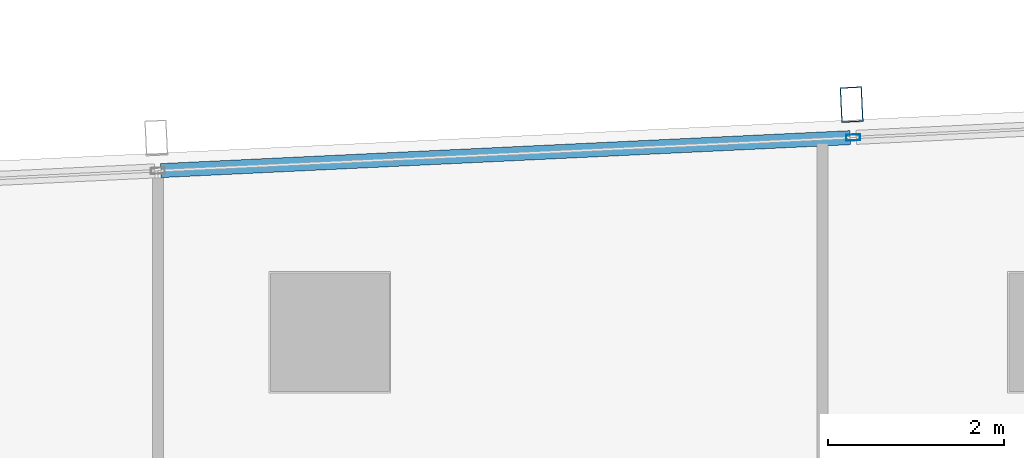
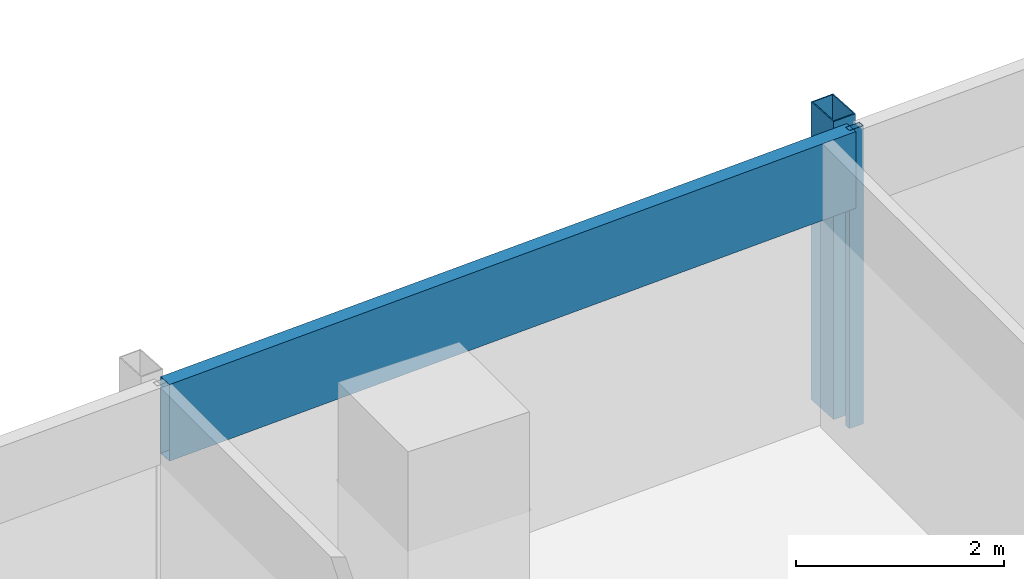
# One storey, part 18 of 40: 3 members, 1 element without a shape of its own.
"""IFC4 building model written with IfcOpenShell, lengths in metres."""

from ifc_helpers import new_model, si_unit, direction, frame, origin, origin_2d, place, context, subcontext, project, spatial, hollow_rectangle, extrude, material, material_profile, profile_set, type_object, element, aggregate, save


model = new_model("IFC4")

# Units and contexts
model_context = context("Model", 3, precision=1e-05, world=origin(), true_north=direction((0.0, 1.0)))
body_context = subcontext(model_context, "Body", "Model", "MODEL_VIEW")
ifc_project = project(units=[si_unit("LENGTHUNIT", "METRE"), si_unit("AREAUNIT", "SQUARE_METRE"), si_unit("VOLUMEUNIT", "CUBIC_METRE"), si_unit("PLANEANGLEUNIT", "RADIAN"), si_unit("MASSUNIT", "GRAM", prefix="KILO")], contexts=[model_context])

# Site, building, storey
site_placement = place(None, origin())
site = spatial("IfcSite", under=ifc_project, at=site_placement, CompositionType="ELEMENT")
building_placement = place(site_placement, origin())
building = spatial("IfcBuilding", under=site, at=building_placement, Name="Rekha Terrace Tower", CompositionType="ELEMENT")
storey_placement = place(building_placement, frame((0.0, 0.0, 210.199951171875)))
storey = spatial("IfcBuildingStorey", under=building, at=storey_placement, Name="L53", CompositionType="ELEMENT", Elevation=210.199951171875)

# Curtain wall, members
ifc_material_1 = material(Name="Aluminium framing", Category="aluminium")
curtain_wall_type = type_object("IfcCurtainWallType", Name="CW3 north unitised glazing", PredefinedType="USERDEFINED", material=ifc_material_1)
curtain_wall_placement = place(storey_placement, origin())
curtain_wall = element("IfcCurtainWall", 1, at=curtain_wall_placement, inside=storey, type_object=curtain_wall_type, Name="CW3 unitised curtain wall", ObjectType="UNITISED CURTAIN WALL", PredefinedType="USERDEFINED")
ifc_material_2 = material(Name="Steel S355 with fluorocarbon finish", Category="steel")
ifc_material_profile_1 = material_profile(ifc_material_2, hollow_rectangle(XDim=0.25, YDim=0.39990234375, WallThickness=0.012451171875, at=origin_2d()), Name="RHS400x250x12.5")
ifc_profile_set_1 = profile_set([ifc_material_profile_1], Name="Steel S355 with fluorocarbon finish")
member_type_1 = type_object("IfcMemberType", Name="BL1 facade blade RHS 400 x 250", PredefinedType="USERDEFINED", material=ifc_profile_set_1)
member_1_placement = place(storey_placement, frame((22.734130859375, 61.389404296875, 0.0), z_axis=(0.0, 0.0, 1.0), x_axis=(-0.998858913274, -0.04775846913, 0.0)))
member_1 = element("IfcMember", 2, at=member_1_placement, type_object=member_type_1, Name="Facade blade", ObjectType="FACADE BLADE", PredefinedType="USERDEFINED", context=body_context, shape_type="SweptSolid", body=[
    extrude(hollow_rectangle(XDim=0.25, YDim=0.39990234375, WallThickness=0.012451171875, at=origin_2d()), origin(), (0.0, 0.0, 1.0), 3.5),
])
ifc_material_3 = material(Name="Aluminium mullion section", Category="aluminium")
ifc_material_profile_2 = material_profile(ifc_material_3, hollow_rectangle(XDim=0.070068359375, YDim=0.159912109375, WallThickness=0.00390625, at=origin_2d()), Name="AL RHS 70x160")
ifc_profile_set_2 = profile_set([ifc_material_profile_2], Name="Aluminium mullion section")
member_type_2 = type_object("IfcMemberType", Name="CW3 mullion RHS 70 x 160", PredefinedType="MULLION", material=ifc_profile_set_2)
member_2_placement = place(storey_placement, frame((22.751953125, 61.014892578125, 0.0), z_axis=(0.0, 0.0, 1.0), x_axis=(0.047758616983, -0.998858906204, 0.0)))
member_2 = element("IfcMember", 3, at=member_2_placement, type_object=member_type_2, Name="CW3 mullion 4", PredefinedType="MULLION", context=body_context, shape_type="SweptSolid", body=[
    extrude(hollow_rectangle(XDim=0.070068359375, YDim=0.159912109375, WallThickness=0.00390625, at=origin_2d()), origin(), (0.0, 0.0, 1.0), 3.5),
])
ifc_material_4 = material(Name="Insulated aluminium spandrel box", Category="aluminium")
ifc_material_profile_3 = material_profile(ifc_material_4, hollow_rectangle(XDim=0.159912109375, YDim=0.89990234375, WallThickness=0.0029296875, at=origin_2d()), Name="AL SPANDREL BOX 160x900")
ifc_profile_set_3 = profile_set([ifc_material_profile_3], Name="Insulated aluminium spandrel box")
member_type_3 = type_object("IfcMemberType", Name="CW3 spandrel transom 160 x 900", PredefinedType="USERDEFINED", material=ifc_profile_set_3)
member_3_placement = place(storey_placement, frame((22.717041015625, 61.01318359375, 3.050048828125), z_axis=(-0.998859252362, -0.047751376635, 0.0), x_axis=(0.047751376635, -0.998859252362, 0.0)))
member_3 = element("IfcMember", 4, at=member_3_placement, type_object=member_type_3, Name="CW3 spandrel transom 4", ObjectType="TRANSOM", PredefinedType="USERDEFINED", context=body_context, shape_type="SweptSolid", body=[
    extrude(hollow_rectangle(XDim=0.159912109375, YDim=0.89990234375, WallThickness=0.0029296875, at=origin_2d()), origin(), (0.0, 0.0, 1.0), 7.84814453125),
])
aggregate(curtain_wall, [member_2, member_3, member_1])

save(model, "model.ifc")
